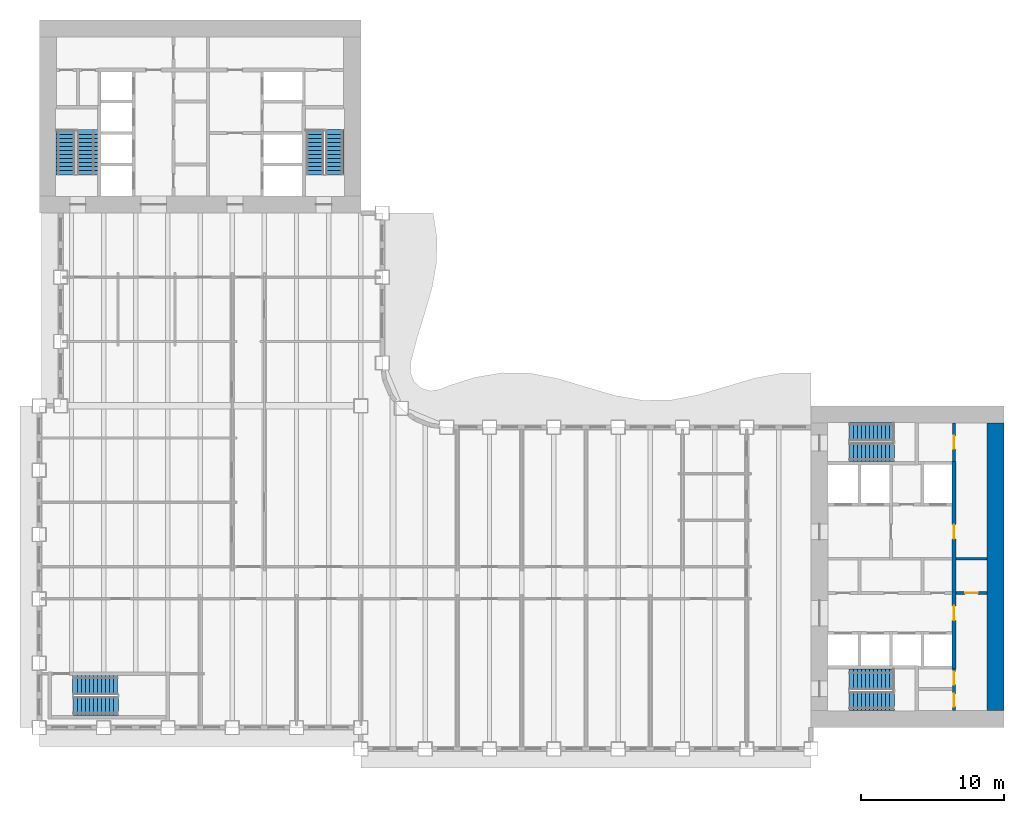
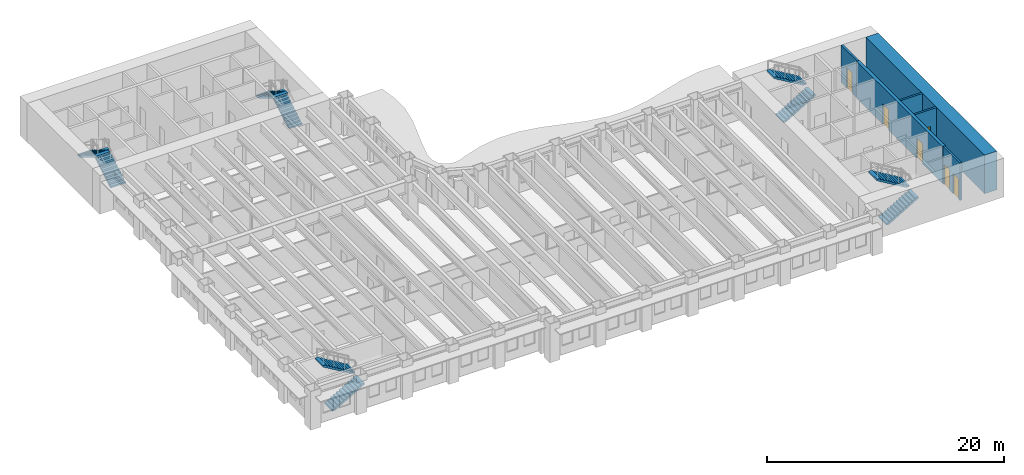
# One storey, part 10 of 16: 10 stair flights, 6 doors, 6 walls, 6 openings, 5 elements without a shape of their own.
"""IFC4 building model written with IfcOpenShell, lengths in metres."""

from ifc_helpers import new_model, si_unit, direction, frame, frame_2d, origin, place, context, subcontext, project, spatial, polyline, rectangle, outline, extrude, material, layer, layer_set, type_object, element, fill, aggregate, save


model = new_model("IFC4")

# Units and contexts
model_context = context("Model", 3, precision=1e-05, world=origin(), true_north=direction((0.0, 1.0)))
body_context = subcontext(model_context, "Body", "Model", "MODEL_VIEW")
ifc_project = project(units=[si_unit("LENGTHUNIT", "METRE"), si_unit("AREAUNIT", "SQUARE_METRE"), si_unit("VOLUMEUNIT", "CUBIC_METRE"), si_unit("PLANEANGLEUNIT", "RADIAN"), si_unit("MASSUNIT", "GRAM", prefix="KILO")], contexts=[model_context])

# Site, building, storey
site_placement = place(None, origin())
site = spatial("IfcSite", under=ifc_project, at=site_placement, CompositionType="ELEMENT")
building_placement = place(site_placement, origin())
building = spatial("IfcBuilding", under=site, at=building_placement, Name="Sennacour Bend Tower", CompositionType="ELEMENT")
storey_placement = place(building_placement, frame((0.0, 0.0, 95.0)))
storey = spatial("IfcBuildingStorey", under=building, at=storey_placement, Name="L21", CompositionType="ELEMENT", Elevation=95.0)

# Wall
ifc_material_1 = material(Name="Concrete C80/95", Category="concrete")
ifc_layer_1 = layer(ifc_material_1, 1.199951171875, Name="Concrete C80/95", Category="concrete")
ifc_layer_set_1 = layer_set([ifc_layer_1], Name="Concrete C80/95")
wall_type_1 = type_object("IfcWallType", Name="Core wall 1200 C80/95", PredefinedType="SHEAR", material=ifc_layer_set_1)
wall_1_placement = place(storey_placement, frame((66.89990234375, 1.199951171875, -0.14990234375), z_axis=(0.0, 0.0, 1.0), x_axis=(0.0, 1.0, 0.0)))
element("IfcWall", 1, at=wall_1_placement, inside=storey, type_object=wall_type_1, Name="Core A wall L21 E", PredefinedType="SHEAR", context=body_context, shape_type="SweptSolid", body=[
    extrude(rectangle(XDim=20.10009765625, YDim=1.199951171875, at=frame_2d((10.050048828125, 0.0))), origin(), (0.0, 0.0, 1.0), 4.0),
])

# Wall, openings, doors
ifc_material_2 = material(Name="Fire-rated plasterboard partition on steel studs", Category="steel")
ifc_layer_2 = layer(ifc_material_2, 0.199951171875, Name="Fire-rated plasterboard partition on steel studs", Category="steel")
ifc_layer_set_2 = layer_set([ifc_layer_2], Name="Fire-rated plasterboard partition on steel studs")
wall_type_2 = type_object("IfcWallType", Name="Rated partition 200", PredefinedType="PARTITIONING", material=ifc_layer_set_2)
wall_2_placement = place(storey_placement, frame((64.0, 1.199951171875, 0.0), z_axis=(0.0, 0.0, 1.0), x_axis=(0.0, 1.0, 0.0)))
wall_2 = element("IfcWall", 2, at=wall_2_placement, inside=storey, type_object=wall_type_2, Name="P-L21-W046", PredefinedType="PARTITIONING", context=body_context, shape_type="SweptSolid", body=[
    extrude(rectangle(XDim=2.900146484375, YDim=0.199951171875, at=frame_2d((1.4501953125, 0.0))), origin(), (0.0, 0.0, 1.0), 3.85009765625),
])
opening_1_placement = place(wall_2_placement, frame((0.25, 0.0, 0.0)))
opening_1 = element("IfcOpeningElement", 3, at=opening_1_placement, cuts=wall_2, Name="Opening SV", PredefinedType="OPENING", context=body_context, shape_type="SweptSolid", body=[
    extrude(rectangle(XDim=0.89990234375, YDim=2.10009765625, at=frame_2d((0.449951171875, 1.050048828125))), frame((0.0, 0.10986328125, 0.0), z_axis=(0.0, -1.0, 0.0), x_axis=(1.0, 0.0, 0.0)), (0.0, 0.0, 1.0), 0.219970703125),
])
opening_2_placement = place(wall_2_placement, frame((1.800048828125, 0.0, 0.0)))
opening_2 = element("IfcOpeningElement", 4, at=opening_2_placement, cuts=wall_2, Name="Opening SV", PredefinedType="OPENING", context=body_context, shape_type="SweptSolid", body=[
    extrude(rectangle(XDim=0.89990234375, YDim=2.10009765625, at=frame_2d((0.449951171875, 1.050048828125))), frame((0.0, 0.10986328125, 0.0), z_axis=(0.0, -1.0, 0.0), x_axis=(1.0, 0.0, 0.0)), (0.0, 0.0, 1.0), 0.219970703125),
])
ifc_material_3 = material(Name="Painted steel", Category="steel")
door_type_1 = type_object("IfcDoorType", Name="DR-SERVICE-900", OperationType="NOTDEFINED", PredefinedType="DOOR", material=ifc_material_3)
door_1_placement = place(opening_1_placement, origin())
door_1 = element("IfcDoor", 5, at=door_1_placement, inside=storey, type_object=door_type_1, Name="Door", OperationType="SINGLE_SWING_LEFT", OverallHeight=2.10009765625, OverallWidth=0.89990234375, PredefinedType="DOOR", context=body_context, shape_type="SweptSolid", body=[
    extrude(rectangle(XDim=0.89990234375, YDim=2.10009765625, at=frame_2d((0.449951171875, 1.050048828125))), frame((0.0, 0.02490234375, 0.0), z_axis=(0.0, -1.0, 0.0), x_axis=(1.0, 0.0, 0.0)), (0.0, 0.0, 1.0), 0.050048828125),
])
fill(opening_1, door_1)
door_2_placement = place(opening_2_placement, origin())
door_2 = element("IfcDoor", 6, at=door_2_placement, inside=storey, type_object=door_type_1, Name="Door", OperationType="SINGLE_SWING_RIGHT", OverallHeight=2.10009765625, OverallWidth=0.89990234375, PredefinedType="DOOR", context=body_context, shape_type="SweptSolid", body=[
    extrude(rectangle(XDim=0.89990234375, YDim=2.10009765625, at=frame_2d((0.449951171875, 1.050048828125))), frame((0.0, 0.02490234375, 0.0), z_axis=(0.0, -1.0, 0.0), x_axis=(1.0, 0.0, 0.0)), (0.0, 0.0, 1.0), 0.050048828125),
])
fill(opening_2, door_2)

# Wall, opening, door
wall_3_placement = place(storey_placement, frame((64.0, 18.60009765625, 0.0), z_axis=(0.0, 0.0, 1.0), x_axis=(0.0, 1.0, 0.0)))
wall_3 = element("IfcWall", 7, at=wall_3_placement, inside=storey, type_object=wall_type_2, Name="P-L21-W048", PredefinedType="PARTITIONING", context=body_context, shape_type="SweptSolid", body=[
    extrude(rectangle(XDim=2.699951171875, YDim=0.199951171875, at=frame_2d((1.35009765625, 0.0))), origin(), (0.0, 0.0, 1.0), 3.85009765625),
])
opening_3_placement = place(wall_3_placement, frame((0.89990234375, 0.0, 0.0)))
opening_3 = element("IfcOpeningElement", 8, at=opening_3_placement, cuts=wall_3, Name="Opening WD", PredefinedType="OPENING", context=body_context, shape_type="SweptSolid", body=[
    extrude(rectangle(XDim=0.89990234375, YDim=2.10009765625, at=frame_2d((0.449951171875, 1.050048828125))), frame((0.0, 0.10986328125, 0.0), z_axis=(0.0, -1.0, 0.0), x_axis=(1.0, 0.0, 0.0)), (0.0, 0.0, 1.0), 0.219970703125),
])
ifc_material_4 = material(Name="Timber", Category="wood")
door_type_2 = type_object("IfcDoorType", Name="DR-WC-900", OperationType="NOTDEFINED", PredefinedType="DOOR", material=ifc_material_4)
door_3_placement = place(opening_3_placement, origin())
door_3 = element("IfcDoor", 9, at=door_3_placement, inside=storey, type_object=door_type_2, Name="Door", OperationType="SINGLE_SWING_LEFT", OverallHeight=2.10009765625, OverallWidth=0.89990234375, PredefinedType="DOOR", context=body_context, shape_type="SweptSolid", body=[
    extrude(rectangle(XDim=0.89990234375, YDim=2.10009765625, at=frame_2d((0.449951171875, 1.050048828125))), frame((0.0, 0.02490234375, 0.0), z_axis=(0.0, -1.0, 0.0), x_axis=(1.0, 0.0, 0.0)), (0.0, 0.0, 1.0), 0.050048828125),
])
fill(opening_3, door_3)

wall_4_placement = place(storey_placement, frame((64.14990234375, 9.39990234375, 0.0), z_axis=(0.0, 0.0, 1.0), x_axis=(1.0, 0.0, 0.0)))
wall_4 = element("IfcWall", 10, at=wall_4_placement, inside=storey, type_object=wall_type_2, Name="P-L21-W059d", PredefinedType="PARTITIONING", context=body_context, shape_type="SweptSolid", body=[
    extrude(rectangle(XDim=2.150146484375, YDim=0.199951171875, at=frame_2d((1.0751953125, 0.0))), origin(), (0.0, 0.0, 1.0), 3.85009765625),
])
opening_4_placement = place(wall_4_placement, frame((0.625, 0.0, 0.0)))
opening_4 = element("IfcOpeningElement", 11, at=opening_4_placement, cuts=wall_4, Name="Opening SV", PredefinedType="OPENING", context=body_context, shape_type="SweptSolid", body=[
    extrude(rectangle(XDim=0.89990234375, YDim=2.10009765625, at=frame_2d((0.449951171875, 1.050048828125))), frame((0.0, 0.10986328125, 0.0), z_axis=(0.0, -1.0, 0.0), x_axis=(1.0, 0.0, 0.0)), (0.0, 0.0, 1.0), 0.219970703125),
])
door_4_placement = place(opening_4_placement, origin())
door_4 = element("IfcDoor", 12, at=door_4_placement, inside=storey, type_object=door_type_1, Name="Door", OperationType="SINGLE_SWING_LEFT", OverallHeight=2.10009765625, OverallWidth=0.89990234375, PredefinedType="DOOR", context=body_context, shape_type="SweptSolid", body=[
    extrude(rectangle(XDim=0.89990234375, YDim=2.10009765625, at=frame_2d((0.449951171875, 1.050048828125))), frame((0.0, 0.02490234375, 0.0), z_axis=(0.0, -1.0, 0.0), x_axis=(1.0, 0.0, 0.0)), (0.0, 0.0, 1.0), 0.050048828125),
])
fill(opening_4, door_4)

# Wall
wall_5_placement = place(storey_placement, frame((64.14990234375, 11.800048828125, 0.0), z_axis=(0.0, 0.0, 1.0), x_axis=(1.0, 0.0, 0.0)))
element("IfcWall", 13, at=wall_5_placement, inside=storey, type_object=wall_type_2, Name="P-L21-W061e", PredefinedType="PARTITIONING", context=body_context, shape_type="SweptSolid", body=[
    extrude(rectangle(XDim=2.150146484375, YDim=0.199951171875, at=frame_2d((1.0751953125, 0.0))), origin(), (0.0, 0.0, 1.0), 3.85009765625),
])

# Wall, openings, doors
ifc_material_5 = material(Name="Concrete C60/75", Category="concrete")
ifc_layer_3 = layer(ifc_material_5, 0.300048828125, Name="Concrete C60/75", Category="concrete")
ifc_layer_set_3 = layer_set([ifc_layer_3], Name="Concrete C60/75")
wall_type_3 = type_object("IfcWallType", Name="Spine wall 300", PredefinedType="SHEAR", material=ifc_layer_set_3)
wall_6_placement = place(storey_placement, frame((64.0, 4.10009765625, 0.0), z_axis=(0.0, 0.0, 1.0), x_axis=(0.0, 1.0, 0.0)))
wall_6 = element("IfcWall", 14, at=wall_6_placement, inside=storey, type_object=wall_type_3, Name="P-L21-W047", PredefinedType="SHEAR", context=body_context, shape_type="SweptSolid", body=[
    extrude(rectangle(XDim=14.5, YDim=0.300048828125, at=frame_2d((7.25, 0.0))), origin(), (0.0, 0.0, 1.0), 3.85009765625),
])
opening_5_placement = place(wall_6_placement, frame((3.39990234375, 0.0, 0.0)))
opening_5 = element("IfcOpeningElement", 15, at=opening_5_placement, cuts=wall_6, Name="Opening CD2", PredefinedType="OPENING", context=body_context, shape_type="SweptSolid", body=[
    extrude(rectangle(XDim=1.0, YDim=2.10009765625, at=frame_2d((0.5, 1.050048828125))), frame((0.0, 0.16015625, 0.0), z_axis=(0.0, -1.0, 0.0), x_axis=(1.0, 0.0, 0.0)), (0.0, 0.0, 1.0), 0.320068359375),
])
opening_6_placement = place(wall_6_placement, frame((9.099853515625, 0.0, 0.0)))
opening_6 = element("IfcOpeningElement", 16, at=opening_6_placement, cuts=wall_6, Name="Opening CD2", PredefinedType="OPENING", context=body_context, shape_type="SweptSolid", body=[
    extrude(rectangle(XDim=1.0, YDim=2.10009765625, at=frame_2d((0.5, 1.050048828125))), frame((0.0, 0.16015625, 0.0), z_axis=(0.0, -1.0, 0.0), x_axis=(1.0, 0.0, 0.0)), (0.0, 0.0, 1.0), 0.320068359375),
])
door_type_3 = type_object("IfcDoorType", Name="DR-LOBBY-1000", OperationType="NOTDEFINED", PredefinedType="DOOR", material=ifc_material_3)
door_5_placement = place(opening_5_placement, origin())
door_5 = element("IfcDoor", 17, at=door_5_placement, inside=storey, type_object=door_type_3, Name="Door", OperationType="SINGLE_SWING_LEFT", OverallHeight=2.10009765625, OverallWidth=1.0, PredefinedType="DOOR", context=body_context, shape_type="SweptSolid", body=[
    extrude(rectangle(XDim=1.0, YDim=2.10009765625, at=frame_2d((0.5, 1.050048828125))), frame((0.0, 0.02490234375, 0.0), z_axis=(0.0, -1.0, 0.0), x_axis=(1.0, 0.0, 0.0)), (0.0, 0.0, 1.0), 0.050048828125),
])
fill(opening_5, door_5)
door_6_placement = place(opening_6_placement, origin())
door_6 = element("IfcDoor", 18, at=door_6_placement, inside=storey, type_object=door_type_3, Name="Door", OperationType="SINGLE_SWING_RIGHT", OverallHeight=2.10009765625, OverallWidth=1.0, PredefinedType="DOOR", context=body_context, shape_type="SweptSolid", body=[
    extrude(rectangle(XDim=1.0, YDim=2.10009765625, at=frame_2d((0.5, 1.050048828125))), frame((0.0, 0.02490234375, 0.0), z_axis=(0.0, -1.0, 0.0), x_axis=(1.0, 0.0, 0.0)), (0.0, 0.0, 1.0), 0.050048828125),
])
fill(opening_6, door_6)

# Stair, stair flights
ifc_material_6 = material(Name="Concrete C40/50", Category="concrete")
stair_type = type_object("IfcStairType", Name="ST-DOGLEG", PredefinedType="HALF_TURN_STAIR", material=ifc_material_6)
stair_1_placement = place(storey_placement, origin())
stair_1 = element("IfcStair", 19, at=stair_1_placement, inside=storey, type_object=stair_type, Name="L21 Exit stair A1", PredefinedType="HALF_TURN_STAIR")
stair_flight_type = type_object("IfcStairFlightType", Name="SFL-RC", PredefinedType="STRAIGHT", material=ifc_material_6)
stair_flight_1_placement = place(storey_placement, frame((56.699951171875, 1.8349609375, 0.0), z_axis=(0.0, 0.0, 1.0), x_axis=(1.0, 0.0, 0.0)))
stair_flight_1 = element("IfcStairFlight", 20, at=stair_flight_1_placement, type_object=stair_flight_type, Name="SA1 flight 1", NumberOfRisers=12, NumberOfTreads=11, PredefinedType="STRAIGHT", RiserHeight=0.166666667, TreadLength=0.28, context=body_context, shape_type="SweptSolid", body=[
    extrude(outline(polyline([(0.0, 0.0), (0.0, 0.166748046875), (0.280029296875, 0.166748046875), (0.280029296875, 0.333251953125), (0.56005859375, 0.333251953125), (0.56005859375, 0.5), (0.840087890625, 0.5), (0.840087890625, 0.666748046875), (1.1201171875, 0.666748046875), (1.1201171875, 0.833251953125), (1.39990234375, 0.833251953125), (1.39990234375, 1.0), (1.679931640625, 1.0), (1.679931640625, 1.166748046875), (1.9599609375, 1.166748046875), (1.9599609375, 1.333251953125), (2.239990234375, 1.333251953125), (2.239990234375, 1.5), (2.52001953125, 1.5), (2.52001953125, 1.666748046875), (2.800048828125, 1.666748046875), (2.800048828125, 1.833251953125), (3.080078125, 1.833251953125), (3.139892578125, 1.833251953125), (3.139892578125, 1.658935546875), (3.080078125, 1.658935546875), (0.29296875, 0.0), (0.0, 0.0)])), frame((0.0, 0.6650390625, 0.0), z_axis=(0.0, -1.0, 0.0), x_axis=(1.0, 0.0, 0.0)), (0.0, 0.0, 1.0), 1.330078125),
])
stair_flight_2_placement = place(storey_placement, frame((59.780029296875, 3.37744140625, 2.0), z_axis=(0.0, 0.0, 1.0), x_axis=(-1.0, 0.0, 0.0)))
stair_flight_2 = element("IfcStairFlight", 21, at=stair_flight_2_placement, type_object=stair_flight_type, Name="SA1 flight 2", NumberOfRisers=12, NumberOfTreads=11, PredefinedType="STRAIGHT", RiserHeight=0.166666667, TreadLength=0.28, context=body_context, shape_type="SweptSolid", body=[
    extrude(outline(polyline([(0.0, 0.0), (0.0, 0.166748046875), (0.280029296875, 0.166748046875), (0.280029296875, 0.333251953125), (0.56005859375, 0.333251953125), (0.56005859375, 0.5), (0.840087890625, 0.5), (0.840087890625, 0.666748046875), (1.1201171875, 0.666748046875), (1.1201171875, 0.833251953125), (1.39990234375, 0.833251953125), (1.39990234375, 1.0), (1.679931640625, 1.0), (1.679931640625, 1.166748046875), (1.9599609375, 1.166748046875), (1.9599609375, 1.333251953125), (2.239990234375, 1.333251953125), (2.239990234375, 1.5), (2.52001953125, 1.5), (2.52001953125, 1.666748046875), (2.800048828125, 1.666748046875), (2.800048828125, 1.833251953125), (3.080078125, 1.833251953125), (3.139892578125, 1.833251953125), (3.139892578125, 1.658935546875), (3.080078125, 1.658935546875), (0.29296875, 0.0), (0.0, 0.0)])), frame((0.0, 0.7275390625, 0.0), z_axis=(0.0, -1.0, 0.0), x_axis=(1.0, 0.0, 0.0)), (0.0, 0.0, 1.0), 1.455078125),
])
aggregate(stair_1, [stair_flight_1, stair_flight_2])

stair_2_placement = place(storey_placement, origin())
stair_2 = element("IfcStair", 22, at=stair_2_placement, inside=storey, type_object=stair_type, Name="L21 Exit stair A2", PredefinedType="HALF_TURN_STAIR")
stair_flight_3_placement = place(storey_placement, frame((56.699951171875, 19.24755859375, 0.0), z_axis=(0.0, 0.0, 1.0), x_axis=(1.0, 0.0, 0.0)))
stair_flight_3 = element("IfcStairFlight", 23, at=stair_flight_3_placement, type_object=stair_flight_type, Name="SA2 flight 1", NumberOfRisers=12, NumberOfTreads=11, PredefinedType="STRAIGHT", RiserHeight=0.166666667, TreadLength=0.28, context=body_context, shape_type="SweptSolid", body=[
    extrude(outline(polyline([(0.0, 0.0), (0.0, 0.166748046875), (0.280029296875, 0.166748046875), (0.280029296875, 0.333251953125), (0.56005859375, 0.333251953125), (0.56005859375, 0.5), (0.840087890625, 0.5), (0.840087890625, 0.666748046875), (1.1201171875, 0.666748046875), (1.1201171875, 0.833251953125), (1.39990234375, 0.833251953125), (1.39990234375, 1.0), (1.679931640625, 1.0), (1.679931640625, 1.166748046875), (1.9599609375, 1.166748046875), (1.9599609375, 1.333251953125), (2.239990234375, 1.333251953125), (2.239990234375, 1.5), (2.52001953125, 1.5), (2.52001953125, 1.666748046875), (2.800048828125, 1.666748046875), (2.800048828125, 1.833251953125), (3.080078125, 1.833251953125), (3.139892578125, 1.833251953125), (3.139892578125, 1.658935546875), (3.080078125, 1.658935546875), (0.29296875, 0.0), (0.0, 0.0)])), frame((0.0, 0.65234375, 0.0), z_axis=(0.0, -1.0, 0.0), x_axis=(1.0, 0.0, 0.0)), (0.0, 0.0, 1.0), 1.304931640625),
])
stair_flight_4_placement = place(storey_placement, frame((59.780029296875, 20.68994140625, 2.0), z_axis=(0.0, 0.0, 1.0), x_axis=(-1.0, 0.0, 0.0)))
stair_flight_4 = element("IfcStairFlight", 24, at=stair_flight_4_placement, type_object=stair_flight_type, Name="SA2 flight 2", NumberOfRisers=12, NumberOfTreads=11, PredefinedType="STRAIGHT", RiserHeight=0.166666667, TreadLength=0.28, context=body_context, shape_type="SweptSolid", body=[
    extrude(outline(polyline([(0.0, 0.0), (0.0, 0.166748046875), (0.280029296875, 0.166748046875), (0.280029296875, 0.333251953125), (0.56005859375, 0.333251953125), (0.56005859375, 0.5), (0.840087890625, 0.5), (0.840087890625, 0.666748046875), (1.1201171875, 0.666748046875), (1.1201171875, 0.833251953125), (1.39990234375, 0.833251953125), (1.39990234375, 1.0), (1.679931640625, 1.0), (1.679931640625, 1.166748046875), (1.9599609375, 1.166748046875), (1.9599609375, 1.333251953125), (2.239990234375, 1.333251953125), (2.239990234375, 1.5), (2.52001953125, 1.5), (2.52001953125, 1.666748046875), (2.800048828125, 1.666748046875), (2.800048828125, 1.833251953125), (3.080078125, 1.833251953125), (3.139892578125, 1.833251953125), (3.139892578125, 1.658935546875), (3.080078125, 1.658935546875), (0.29296875, 0.0), (0.0, 0.0)])), frame((0.0, 0.64013671875, 0.0), z_axis=(0.0, -1.0, 0.0), x_axis=(1.0, 0.0, 0.0)), (0.0, 0.0, 1.0), 1.280029296875),
])
aggregate(stair_2, [stair_flight_3, stair_flight_4])

stair_3_placement = place(storey_placement, origin())
stair_3 = element("IfcStair", 25, at=stair_3_placement, inside=storey, type_object=stair_type, Name="L21 Exit stair B1", PredefinedType="HALF_TURN_STAIR")
stair_flight_5_placement = place(storey_placement, frame((3.37744140625, 38.699951171875, 0.0), z_axis=(0.0, 0.0, 1.0), x_axis=(0.0, 1.0, 0.0)))
stair_flight_5 = element("IfcStairFlight", 26, at=stair_flight_5_placement, type_object=stair_flight_type, Name="SB1 flight 1", NumberOfRisers=12, NumberOfTreads=11, PredefinedType="STRAIGHT", RiserHeight=0.166666667, TreadLength=0.28, context=body_context, shape_type="SweptSolid", body=[
    extrude(outline(polyline([(0.0, 0.0), (0.0, 0.166748046875), (0.280029296875, 0.166748046875), (0.280029296875, 0.333251953125), (0.56005859375, 0.333251953125), (0.56005859375, 0.5), (0.840087890625, 0.5), (0.840087890625, 0.666748046875), (1.1201171875, 0.666748046875), (1.1201171875, 0.833251953125), (1.39990234375, 0.833251953125), (1.39990234375, 1.0), (1.679931640625, 1.0), (1.679931640625, 1.166748046875), (1.9599609375, 1.166748046875), (1.9599609375, 1.333251953125), (2.239990234375, 1.333251953125), (2.239990234375, 1.5), (2.52001953125, 1.5), (2.52001953125, 1.666748046875), (2.800048828125, 1.666748046875), (2.800048828125, 1.833251953125), (3.080078125, 1.833251953125), (3.139892578125, 1.833251953125), (3.139892578125, 1.658935546875), (3.080078125, 1.658935546875), (0.29296875, 0.0), (0.0, 0.0)])), frame((0.0, 0.7275390625, 0.0), z_axis=(0.0, -1.0, 0.0), x_axis=(1.0, 0.0, 0.0)), (0.0, 0.0, 1.0), 1.455078125),
])
stair_flight_6_placement = place(storey_placement, frame((1.8349609375, 41.780029296875, 2.0), z_axis=(0.0, 0.0, 1.0), x_axis=(0.0, -1.0, 0.0)))
stair_flight_6 = element("IfcStairFlight", 27, at=stair_flight_6_placement, type_object=stair_flight_type, Name="SB1 flight 2", NumberOfRisers=12, NumberOfTreads=11, PredefinedType="STRAIGHT", RiserHeight=0.166666667, TreadLength=0.28, context=body_context, shape_type="SweptSolid", body=[
    extrude(outline(polyline([(0.0, 0.0), (0.0, 0.166748046875), (0.280029296875, 0.166748046875), (0.280029296875, 0.333251953125), (0.56005859375, 0.333251953125), (0.56005859375, 0.5), (0.840087890625, 0.5), (0.840087890625, 0.666748046875), (1.1201171875, 0.666748046875), (1.1201171875, 0.833251953125), (1.39990234375, 0.833251953125), (1.39990234375, 1.0), (1.679931640625, 1.0), (1.679931640625, 1.166748046875), (1.9599609375, 1.166748046875), (1.9599609375, 1.333251953125), (2.239990234375, 1.333251953125), (2.239990234375, 1.5), (2.52001953125, 1.5), (2.52001953125, 1.666748046875), (2.800048828125, 1.666748046875), (2.800048828125, 1.833251953125), (3.080078125, 1.833251953125), (3.139892578125, 1.833251953125), (3.139892578125, 1.658935546875), (3.080078125, 1.658935546875), (0.29296875, 0.0), (0.0, 0.0)])), frame((0.0, 0.6650390625, 0.0), z_axis=(0.0, -1.0, 0.0), x_axis=(1.0, 0.0, 0.0)), (0.0, 0.0, 1.0), 1.330078125),
])
aggregate(stair_3, [stair_flight_5, stair_flight_6])

stair_4_placement = place(storey_placement, origin())
stair_4 = element("IfcStair", 28, at=stair_4_placement, inside=storey, type_object=stair_type, Name="L21 Exit stair B2", PredefinedType="HALF_TURN_STAIR")
stair_flight_7_placement = place(storey_placement, frame((20.68994140625, 38.699951171875, 0.0), z_axis=(0.0, 0.0, 1.0), x_axis=(0.0, 1.0, 0.0)))
stair_flight_7 = element("IfcStairFlight", 29, at=stair_flight_7_placement, type_object=stair_flight_type, Name="SB2 flight 1", NumberOfRisers=12, NumberOfTreads=11, PredefinedType="STRAIGHT", RiserHeight=0.166666667, TreadLength=0.28, context=body_context, shape_type="SweptSolid", body=[
    extrude(outline(polyline([(0.0, 0.0), (0.0, 0.166748046875), (0.280029296875, 0.166748046875), (0.280029296875, 0.333251953125), (0.56005859375, 0.333251953125), (0.56005859375, 0.5), (0.840087890625, 0.5), (0.840087890625, 0.666748046875), (1.1201171875, 0.666748046875), (1.1201171875, 0.833251953125), (1.39990234375, 0.833251953125), (1.39990234375, 1.0), (1.679931640625, 1.0), (1.679931640625, 1.166748046875), (1.9599609375, 1.166748046875), (1.9599609375, 1.333251953125), (2.239990234375, 1.333251953125), (2.239990234375, 1.5), (2.52001953125, 1.5), (2.52001953125, 1.666748046875), (2.800048828125, 1.666748046875), (2.800048828125, 1.833251953125), (3.080078125, 1.833251953125), (3.139892578125, 1.833251953125), (3.139892578125, 1.658935546875), (3.080078125, 1.658935546875), (0.29296875, 0.0), (0.0, 0.0)])), frame((0.0, 0.64013671875, 0.0), z_axis=(0.0, -1.0, 0.0), x_axis=(1.0, 0.0, 0.0)), (0.0, 0.0, 1.0), 1.280029296875),
])
stair_flight_8_placement = place(storey_placement, frame((19.24755859375, 41.780029296875, 2.0), z_axis=(0.0, 0.0, 1.0), x_axis=(0.0, -1.0, 0.0)))
stair_flight_8 = element("IfcStairFlight", 30, at=stair_flight_8_placement, type_object=stair_flight_type, Name="SB2 flight 2", NumberOfRisers=12, NumberOfTreads=11, PredefinedType="STRAIGHT", RiserHeight=0.166666667, TreadLength=0.28, context=body_context, shape_type="SweptSolid", body=[
    extrude(outline(polyline([(0.0, 0.0), (0.0, 0.166748046875), (0.280029296875, 0.166748046875), (0.280029296875, 0.333251953125), (0.56005859375, 0.333251953125), (0.56005859375, 0.5), (0.840087890625, 0.5), (0.840087890625, 0.666748046875), (1.1201171875, 0.666748046875), (1.1201171875, 0.833251953125), (1.39990234375, 0.833251953125), (1.39990234375, 1.0), (1.679931640625, 1.0), (1.679931640625, 1.166748046875), (1.9599609375, 1.166748046875), (1.9599609375, 1.333251953125), (2.239990234375, 1.333251953125), (2.239990234375, 1.5), (2.52001953125, 1.5), (2.52001953125, 1.666748046875), (2.800048828125, 1.666748046875), (2.800048828125, 1.833251953125), (3.080078125, 1.833251953125), (3.139892578125, 1.833251953125), (3.139892578125, 1.658935546875), (3.080078125, 1.658935546875), (0.29296875, 0.0), (0.0, 0.0)])), frame((0.0, 0.65234375, 0.0), z_axis=(0.0, -1.0, 0.0), x_axis=(1.0, 0.0, 0.0)), (0.0, 0.0, 1.0), 1.304931640625),
])
aggregate(stair_4, [stair_flight_7, stair_flight_8])

stair_5_placement = place(storey_placement, origin())
stair_5 = element("IfcStair", 31, at=stair_5_placement, inside=storey, type_object=stair_type, Name="L21 Exit stair K1", PredefinedType="HALF_TURN_STAIR")
stair_flight_9_placement = place(storey_placement, frame((2.39990234375, 1.485107421875, 0.0), z_axis=(0.0, 0.0, 1.0), x_axis=(1.0, 0.0, 0.0)))
stair_flight_9 = element("IfcStairFlight", 32, at=stair_flight_9_placement, type_object=stair_flight_type, Name="SK1 flight 1", NumberOfRisers=12, NumberOfTreads=11, PredefinedType="STRAIGHT", RiserHeight=0.166666667, TreadLength=0.28, context=body_context, shape_type="SweptSolid", body=[
    extrude(outline(polyline([(0.0, 0.0), (0.0, 0.166748046875), (0.280029296875, 0.166748046875), (0.280029296875, 0.333251953125), (0.56005859375, 0.333251953125), (0.56005859375, 0.5), (0.840087890625, 0.5), (0.840087890625, 0.666748046875), (1.1201171875, 0.666748046875), (1.1201171875, 0.833251953125), (1.39990234375, 0.833251953125), (1.39990234375, 1.0), (1.679931640625, 1.0), (1.679931640625, 1.166748046875), (1.9599609375, 1.166748046875), (1.9599609375, 1.333251953125), (2.239990234375, 1.333251953125), (2.239990234375, 1.5), (2.52001953125, 1.5), (2.52001953125, 1.666748046875), (2.800048828125, 1.666748046875), (2.800048828125, 1.833251953125), (3.080078125, 1.833251953125), (3.139892578125, 1.833251953125), (3.139892578125, 1.658935546875), (3.080078125, 1.658935546875), (0.29296875, 0.0), (0.0, 0.0)])), frame((0.0, 0.6650390625, 0.0), z_axis=(0.0, -1.0, 0.0), x_axis=(1.0, 0.0, 0.0)), (0.0, 0.0, 1.0), 1.330078125),
])
stair_flight_10_placement = place(storey_placement, frame((5.47998046875, 2.9775390625, 2.0), z_axis=(0.0, 0.0, 1.0), x_axis=(-1.0, 0.0, 0.0)))
stair_flight_10 = element("IfcStairFlight", 33, at=stair_flight_10_placement, type_object=stair_flight_type, Name="SK1 flight 2", NumberOfRisers=12, NumberOfTreads=11, PredefinedType="STRAIGHT", RiserHeight=0.166666667, TreadLength=0.28, context=body_context, shape_type="SweptSolid", body=[
    extrude(outline(polyline([(0.0, 0.0), (0.0, 0.166748046875), (0.280029296875, 0.166748046875), (0.280029296875, 0.333251953125), (0.56005859375, 0.333251953125), (0.56005859375, 0.5), (0.840087890625, 0.5), (0.840087890625, 0.666748046875), (1.1201171875, 0.666748046875), (1.1201171875, 0.833251953125), (1.39990234375, 0.833251953125), (1.39990234375, 1.0), (1.679931640625, 1.0), (1.679931640625, 1.166748046875), (1.9599609375, 1.166748046875), (1.9599609375, 1.333251953125), (2.239990234375, 1.333251953125), (2.239990234375, 1.5), (2.52001953125, 1.5), (2.52001953125, 1.666748046875), (2.800048828125, 1.666748046875), (2.800048828125, 1.833251953125), (3.080078125, 1.833251953125), (3.139892578125, 1.833251953125), (3.139892578125, 1.658935546875), (3.080078125, 1.658935546875), (0.29296875, 0.0), (0.0, 0.0)])), frame((0.0, 0.677490234375, 0.0), z_axis=(0.0, -1.0, 0.0), x_axis=(1.0, 0.0, 0.0)), (0.0, 0.0, 1.0), 1.35498046875),
])
aggregate(stair_5, [stair_flight_9, stair_flight_10])

save(model, "model.ifc")
